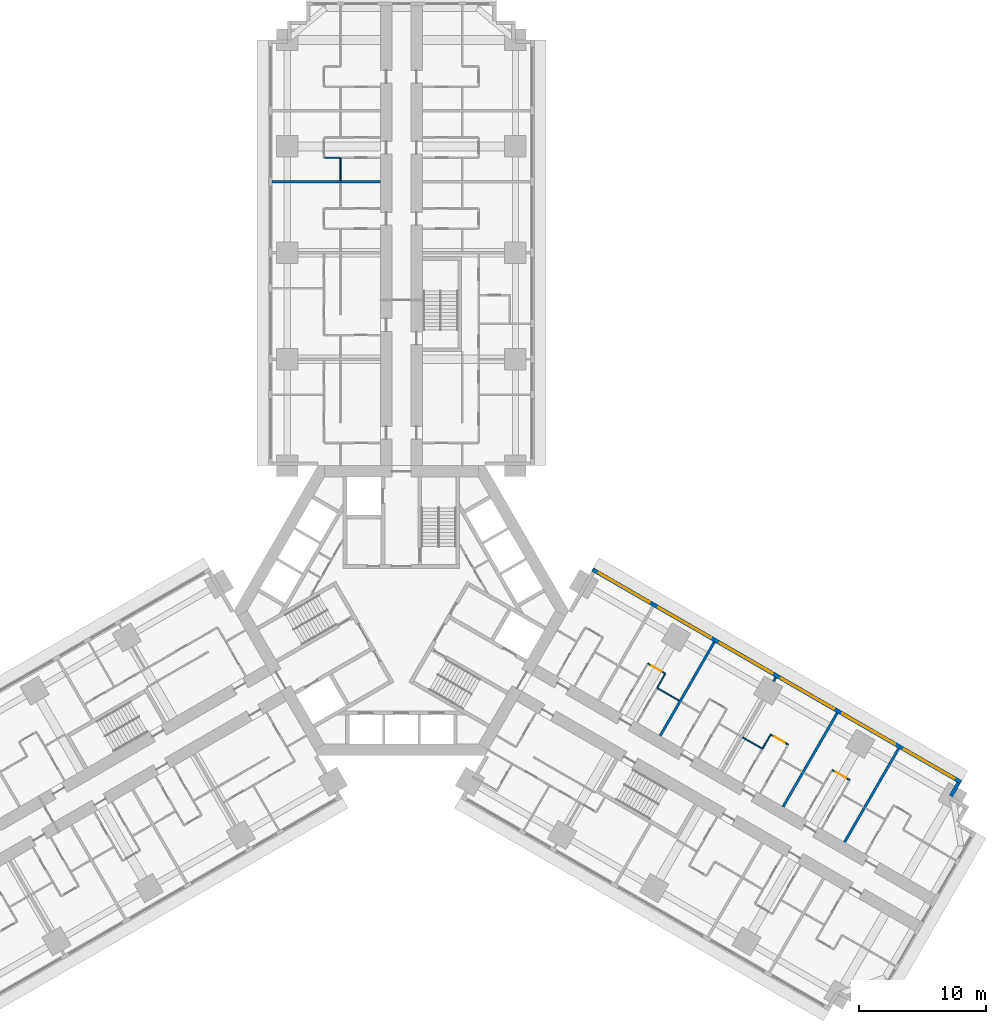
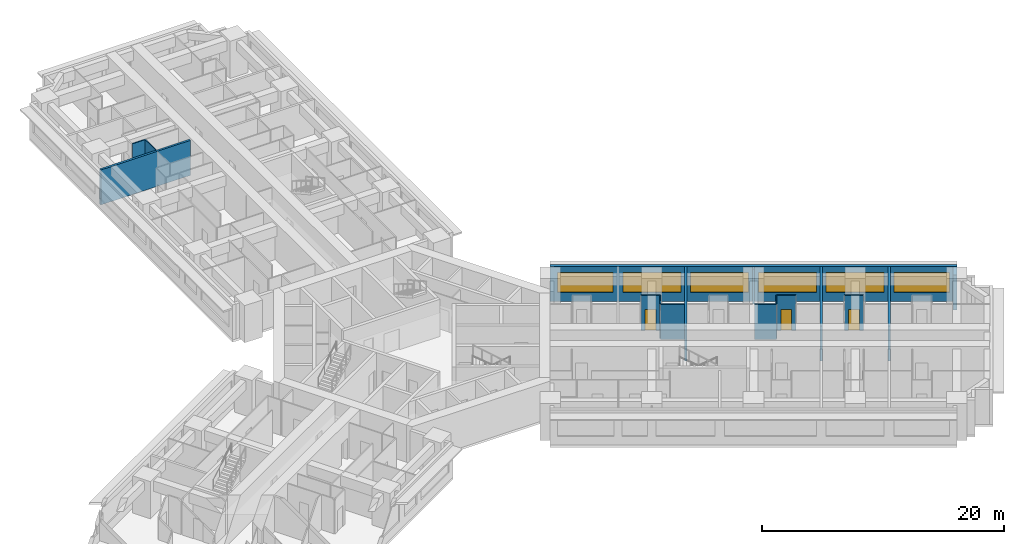
# One storey, part 13 of 16: 16 walls, 6 windows, 3 doors, 9 openings.
"""IFC4 building model written with IfcOpenShell, lengths in metres."""

from ifc_helpers import new_model, si_unit, direction, frame, frame_2d, origin, place, context, subcontext, project, spatial, rectangle, extrude, material, layer, layer_set, type_object, element, fill, save


model = new_model("IFC4")

# Units and contexts
model_context = context("Model", 3, precision=1e-05, world=origin(), true_north=direction((0.0, 1.0)))
body_context = subcontext(model_context, "Body", "Model", "MODEL_VIEW")
ifc_project = project(units=[si_unit("LENGTHUNIT", "METRE"), si_unit("AREAUNIT", "SQUARE_METRE"), si_unit("VOLUMEUNIT", "CUBIC_METRE"), si_unit("PLANEANGLEUNIT", "RADIAN"), si_unit("MASSUNIT", "GRAM", prefix="KILO")], contexts=[model_context])

# Site, building, storey
site_placement = place(None, origin())
site = spatial("IfcSite", under=ifc_project, at=site_placement, CompositionType="ELEMENT")
building_placement = place(site_placement, origin())
building = spatial("IfcBuilding", under=site, at=building_placement, Name="Impinga Residences", CompositionType="ELEMENT")
storey_placement = place(building_placement, frame((0.0, 0.0, 41.0)))
storey = spatial("IfcBuildingStorey", under=building, at=storey_placement, Name="L09", CompositionType="ELEMENT", Elevation=41.0)

# Wall, openings, windows
ifc_material_1 = material(Name="Terracotta rainscreen on blockwork", Category="masonry")
ifc_layer_1 = layer(ifc_material_1, 0.300048828125)
ifc_layer_set_1 = layer_set([ifc_layer_1], Name="EW1 external wall, terracotta rainscreen on blockwork 300")
wall_type_1 = type_object("IfcWallType", Name="EW1 external wall, terracotta rainscreen on blockwork 300", PredefinedType="SOLIDWALL", material=ifc_layer_set_1)
wall_1_placement = place(storey_placement, frame((15.074951171875, 3.24755859375, 0.0), z_axis=(0.0, 0.0, 1.0), x_axis=(0.866024291668, -0.500001926238, 0.0)))
wall_1 = element("IfcWall", 1, at=wall_1_placement, inside=storey, type_object=wall_type_1, Name="External wall EW1 L09", PredefinedType="SOLIDWALL", context=body_context, shape_type="SweptSolid", body=[
    extrude(rectangle(XDim=33.599853515625, YDim=0.300048828125, at=frame_2d((16.7998046875, 0.0))), origin(), (0.0, 0.0, 1.0), 3.530029296875),
])
opening_1_placement = place(wall_1_placement, frame((0.60009765625, 0.0, 0.89990234375)))
opening_1 = element("IfcOpeningElement", 2, at=opening_1_placement, cuts=wall_1, Name="Opening W3", PredefinedType="OPENING", context=body_context, shape_type="SweptSolid", body=[
    extrude(rectangle(XDim=4.60009765625, YDim=2.050048828125, at=frame_2d((2.300048828125, 1.02490234375))), frame((0.0, 0.159912109375, 0.0), z_axis=(0.0, -1.0, 0.0), x_axis=(1.0, 0.0, 0.0)), (0.0, 0.0, 1.0), 0.320068359375),
])
opening_2_placement = place(wall_1_placement, frame((6.0, 0.0, 0.89990234375)))
opening_2 = element("IfcOpeningElement", 3, at=opening_2_placement, cuts=wall_1, Name="Opening W8", PredefinedType="OPENING", context=body_context, shape_type="SweptSolid", body=[
    extrude(rectangle(XDim=4.800048828125, YDim=2.050048828125, at=frame_2d((2.39990234375, 1.02490234375))), frame((0.0, 0.159912109375, 0.0), z_axis=(0.0, -1.0, 0.0), x_axis=(1.0, 0.0, 0.0)), (0.0, 0.0, 1.0), 0.320068359375),
])
opening_3_placement = place(wall_1_placement, frame((11.60009765625, 0.0, 0.89990234375)))
opening_3 = element("IfcOpeningElement", 4, at=opening_3_placement, cuts=wall_1, Name="Opening W8", PredefinedType="OPENING", context=body_context, shape_type="SweptSolid", body=[
    extrude(rectangle(XDim=4.800048828125, YDim=2.050048828125, at=frame_2d((2.39990234375, 1.02490234375))), frame((0.0, 0.159912109375, 0.0), z_axis=(0.0, -1.0, 0.0), x_axis=(1.0, 0.0, 0.0)), (0.0, 0.0, 1.0), 0.320068359375),
])
opening_4_placement = place(wall_1_placement, frame((17.199951171875, 0.0, 0.89990234375)))
opening_4 = element("IfcOpeningElement", 5, at=opening_4_placement, cuts=wall_1, Name="Opening W8", PredefinedType="OPENING", context=body_context, shape_type="SweptSolid", body=[
    extrude(rectangle(XDim=4.800048828125, YDim=2.050048828125, at=frame_2d((2.39990234375, 1.02490234375))), frame((0.0, 0.159912109375, 0.0), z_axis=(0.0, -1.0, 0.0), x_axis=(1.0, 0.0, 0.0)), (0.0, 0.0, 1.0), 0.320068359375),
])
opening_5_placement = place(wall_1_placement, frame((22.800048828125, 0.0, 0.89990234375)))
opening_5 = element("IfcOpeningElement", 6, at=opening_5_placement, cuts=wall_1, Name="Opening W8", PredefinedType="OPENING", context=body_context, shape_type="SweptSolid", body=[
    extrude(rectangle(XDim=4.800048828125, YDim=2.050048828125, at=frame_2d((2.39990234375, 1.02490234375))), frame((0.0, 0.159912109375, 0.0), z_axis=(0.0, -1.0, 0.0), x_axis=(1.0, 0.0, 0.0)), (0.0, 0.0, 1.0), 0.320068359375),
])
opening_6_placement = place(wall_1_placement, frame((28.39990234375, 0.0, 0.89990234375)))
opening_6 = element("IfcOpeningElement", 7, at=opening_6_placement, cuts=wall_1, Name="Opening W3", PredefinedType="OPENING", context=body_context, shape_type="SweptSolid", body=[
    extrude(rectangle(XDim=4.60009765625, YDim=2.050048828125, at=frame_2d((2.300048828125, 1.02490234375))), frame((0.0, 0.159912109375, 0.0), z_axis=(0.0, -1.0, 0.0), x_axis=(1.0, 0.0, 0.0)), (0.0, 0.0, 1.0), 0.320068359375),
])
ifc_material_2 = material(Name="Aluminium window, clear double glazing", Category="aluminium")
window_type_1 = type_object("IfcWindowType", Name="W3 ribbon window 4600x2050", PartitioningType="SINGLE_PANEL", PredefinedType="WINDOW", material=ifc_material_2)
window_1_placement = place(opening_1_placement, origin())
window_1 = element("IfcWindow", 8, at=window_1_placement, inside=storey, type_object=window_type_1, Name="Window L09", OverallHeight=2.050048828125, OverallWidth=4.60009765625, PartitioningType="SINGLE_PANEL", PredefinedType="WINDOW", context=body_context, shape_type="SweptSolid", body=[
    extrude(rectangle(XDim=4.60009765625, YDim=2.050048828125, at=frame_2d((2.300048828125, 1.02490234375))), frame((0.0, 0.030029296875, 0.0), z_axis=(0.0, -1.0, 0.0), x_axis=(1.0, 0.0, 0.0)), (0.0, 0.0, 1.0), 0.06005859375),
])
fill(opening_1, window_1)
window_2_placement = place(opening_6_placement, origin())
window_2 = element("IfcWindow", 9, at=window_2_placement, inside=storey, type_object=window_type_1, Name="Window L09", OverallHeight=2.050048828125, OverallWidth=4.60009765625, PartitioningType="SINGLE_PANEL", PredefinedType="WINDOW", context=body_context, shape_type="SweptSolid", body=[
    extrude(rectangle(XDim=4.60009765625, YDim=2.050048828125, at=frame_2d((2.300048828125, 1.02490234375))), frame((0.0, 0.030029296875, 0.0), z_axis=(0.0, -1.0, 0.0), x_axis=(1.0, 0.0, 0.0)), (0.0, 0.0, 1.0), 0.06005859375),
])
fill(opening_6, window_2)
window_type_2 = type_object("IfcWindowType", Name="W8 ribbon window 4800x2050", PartitioningType="SINGLE_PANEL", PredefinedType="WINDOW", material=ifc_material_2)
window_3_placement = place(opening_2_placement, origin())
window_3 = element("IfcWindow", 10, at=window_3_placement, inside=storey, type_object=window_type_2, Name="Window L09", OverallHeight=2.050048828125, OverallWidth=4.800048828125, PartitioningType="SINGLE_PANEL", PredefinedType="WINDOW", context=body_context, shape_type="SweptSolid", body=[
    extrude(rectangle(XDim=4.800048828125, YDim=2.050048828125, at=frame_2d((2.39990234375, 1.02490234375))), frame((0.0, 0.030029296875, 0.0), z_axis=(0.0, -1.0, 0.0), x_axis=(1.0, 0.0, 0.0)), (0.0, 0.0, 1.0), 0.06005859375),
])
fill(opening_2, window_3)
window_4_placement = place(opening_3_placement, origin())
window_4 = element("IfcWindow", 11, at=window_4_placement, inside=storey, type_object=window_type_2, Name="Window L09", OverallHeight=2.050048828125, OverallWidth=4.800048828125, PartitioningType="SINGLE_PANEL", PredefinedType="WINDOW", context=body_context, shape_type="SweptSolid", body=[
    extrude(rectangle(XDim=4.800048828125, YDim=2.050048828125, at=frame_2d((2.39990234375, 1.02490234375))), frame((0.0, 0.030029296875, 0.0), z_axis=(0.0, -1.0, 0.0), x_axis=(1.0, 0.0, 0.0)), (0.0, 0.0, 1.0), 0.06005859375),
])
fill(opening_3, window_4)
window_5_placement = place(opening_4_placement, origin())
window_5 = element("IfcWindow", 12, at=window_5_placement, inside=storey, type_object=window_type_2, Name="Window L09", OverallHeight=2.050048828125, OverallWidth=4.800048828125, PartitioningType="SINGLE_PANEL", PredefinedType="WINDOW", context=body_context, shape_type="SweptSolid", body=[
    extrude(rectangle(XDim=4.800048828125, YDim=2.050048828125, at=frame_2d((2.39990234375, 1.02490234375))), frame((0.0, 0.030029296875, 0.0), z_axis=(0.0, -1.0, 0.0), x_axis=(1.0, 0.0, 0.0)), (0.0, 0.0, 1.0), 0.06005859375),
])
fill(opening_4, window_5)
window_6_placement = place(opening_5_placement, origin())
window_6 = element("IfcWindow", 13, at=window_6_placement, inside=storey, type_object=window_type_2, Name="Window L09", OverallHeight=2.050048828125, OverallWidth=4.800048828125, PartitioningType="SINGLE_PANEL", PredefinedType="WINDOW", context=body_context, shape_type="SweptSolid", body=[
    extrude(rectangle(XDim=4.800048828125, YDim=2.050048828125, at=frame_2d((2.39990234375, 1.02490234375))), frame((0.0, 0.030029296875, 0.0), z_axis=(0.0, -1.0, 0.0), x_axis=(1.0, 0.0, 0.0)), (0.0, 0.0, 1.0), 0.06005859375),
])
fill(opening_5, window_6)

# Walls
wall_2_placement = place(storey_placement, frame((43.968505859375, -13.607421875, 0.0), z_axis=(0.0, 0.0, 1.0), x_axis=(-0.500029051137, -0.866008630453, 0.0)))
element("IfcWall", 14, at=wall_2_placement, inside=storey, type_object=wall_type_1, Name="External wall EW1 L09", PredefinedType="SOLIDWALL", context=body_context, shape_type="SweptSolid", body=[
    extrude(rectangle(XDim=1.19482421875, YDim=0.300048828125, at=frame_2d((0.597412109375, 0.0))), origin(), (0.0, 0.0, 1.0), 3.530029296875),
])
ifc_material_3 = material(Name="Gypsum board on steel studs", Category="steel")
ifc_layer_2 = layer(ifc_material_3, 0.10009765625)
ifc_layer_set_2 = layer_set([ifc_layer_2], Name="Gypsum board on steel studs")
wall_type_2 = type_object("IfcWallType", Name="IP1 partition 100", PredefinedType="PARTITIONING", material=ifc_layer_set_2)
wall_3_placement = place(storey_placement, frame((-4.800048828125, 33.931640625, 0.0), z_axis=(0.0, 0.0, 1.0), x_axis=(0.0, 1.0, 0.0)))
element("IfcWall", 15, at=wall_3_placement, inside=storey, type_object=wall_type_2, Name="Partition L09-NA4:DIV0", PredefinedType="PARTITIONING", context=body_context, shape_type="SweptSolid", body=[
    extrude(rectangle(XDim=1.7998046875, YDim=0.10009765625, at=frame_2d((0.89990234375, 0.0))), origin(), (0.0, 0.0, 1.0), 3.530029296875),
])
wall_4_placement = place(storey_placement, frame((-4.85009765625, 35.7314453125, 0.0), z_axis=(0.0, 0.0, 1.0), x_axis=(-1.0, 0.0, 0.0)))
element("IfcWall", 16, at=wall_4_placement, inside=storey, type_object=wall_type_2, Name="Partition L09-NA4:SE0", PredefinedType="PARTITIONING", context=body_context, shape_type="SweptSolid", body=[
    extrude(rectangle(XDim=1.199951171875, YDim=0.10009765625, at=frame_2d((0.60009765625, 0.0))), origin(), (0.0, 0.0, 1.0), 3.530029296875),
])
wall_5_placement = place(storey_placement, frame((20.180908203125, -6.10888671875, 0.0), z_axis=(0.0, 0.0, 1.0), x_axis=(0.866010750942, -0.50002537861, 0.0)))
element("IfcWall", 17, at=wall_5_placement, inside=storey, type_object=wall_type_2, Name="Partition L09-EA2:DIV1", PredefinedType="PARTITIONING", context=body_context, shape_type="SweptSolid", body=[
    extrude(rectangle(XDim=2.0, YDim=0.10009765625, at=frame_2d((1.0, 0.0))), origin(), (0.0, 0.0, 1.0), 3.530029296875),
])

# Wall, opening, door
wall_6_placement = place(storey_placement, frame((19.4453125, -4.18310546875, 0.0), z_axis=(0.0, 0.0, 1.0), x_axis=(0.866055983265, -0.499947031044, 0.0)))
wall_6 = element("IfcWall", 18, at=wall_6_placement, inside=storey, type_object=wall_type_2, Name="Partition L09-EA2:STRIP", PredefinedType="PARTITIONING", context=body_context, shape_type="SweptSolid", body=[
    extrude(rectangle(XDim=1.599853515625, YDim=0.10009765625, at=frame_2d((0.7998046875, 0.0))), origin(), (0.0, 0.0, 1.0), 3.530029296875),
])
opening_7_placement = place(wall_6_placement, frame((0.35009765625, 0.0, 0.0)))
opening_7 = element("IfcOpeningElement", 19, at=opening_7_placement, cuts=wall_6, Name="Opening D2", PredefinedType="OPENING", context=body_context, shape_type="SweptSolid", body=[
    extrude(rectangle(XDim=0.89990234375, YDim=2.10009765625, at=frame_2d((0.449951171875, 1.050048828125))), frame((0.0, 0.06005859375, 0.0), z_axis=(0.0, -1.0, 0.0), x_axis=(1.0, 0.0, 0.0)), (0.0, 0.0, 1.0), 0.1201171875),
])
ifc_material_4 = material(Name="Timber door set", Category="wood")
door_type = type_object("IfcDoorType", Name="D2 internal door 900x2100", OperationType="SINGLE_SWING_LEFT", PredefinedType="DOOR", material=ifc_material_4)
door_1_placement = place(opening_7_placement, origin())
door_1 = element("IfcDoor", 20, at=door_1_placement, inside=storey, type_object=door_type, Name="Apartment L09-EA2 room door", OperationType="SINGLE_SWING_LEFT", OverallHeight=2.10009765625, OverallWidth=0.89990234375, PredefinedType="DOOR", context=body_context, shape_type="SweptSolid", body=[
    extrude(rectangle(XDim=0.89990234375, YDim=2.10009765625, at=frame_2d((0.449951171875, 1.050048828125))), frame((0.0, 0.02490234375, 0.0), z_axis=(0.0, -1.0, 0.0), x_axis=(1.0, 0.0, 0.0)), (0.0, 0.0, 1.0), 0.050048828125),
])
fill(opening_7, door_1)

# Walls
wall_7_placement = place(storey_placement, frame((20.205810546875, -6.0654296875, 0.0), z_axis=(0.0, 0.0, 1.0), x_axis=(0.50012165622, 0.865955154139, 0.0)))
element("IfcWall", 21, at=wall_7_placement, inside=storey, type_object=wall_type_2, Name="Partition L09-EA2:SE1", PredefinedType="PARTITIONING", context=body_context, shape_type="SweptSolid", body=[
    extrude(rectangle(XDim=1.199951171875, YDim=0.10009765625, at=frame_2d((0.60009765625, 0.0))), origin(), (0.0, 0.0, 1.0), 3.530029296875),
])
wall_8_placement = place(storey_placement, frame((26.935791015625, -10.0087890625, 0.0), z_axis=(0.0, 0.0, 1.0), x_axis=(0.865989075817, -0.500062916607, 0.0)))
element("IfcWall", 22, at=wall_8_placement, inside=storey, type_object=wall_type_2, Name="Partition L09-EA4:DIV0", PredefinedType="PARTITIONING", context=body_context, shape_type="SweptSolid", body=[
    extrude(rectangle(XDim=1.800048828125, YDim=0.10009765625, at=frame_2d((0.89990234375, 0.0))), origin(), (0.0, 0.0, 1.0), 3.530029296875),
])

# Wall, opening, door
wall_9_placement = place(storey_placement, frame((29.144775390625, -9.782958984375, 0.0), z_axis=(0.0, 0.0, 1.0), x_axis=(0.865989903783, -0.500061482766, 0.0)))
wall_9 = element("IfcWall", 23, at=wall_9_placement, inside=storey, type_object=wall_type_2, Name="Partition L09-EA4:STRIP", PredefinedType="PARTITIONING", context=body_context, shape_type="SweptSolid", body=[
    extrude(rectangle(XDim=1.599853515625, YDim=0.10009765625, at=frame_2d((0.7998046875, 0.0))), origin(), (0.0, 0.0, 1.0), 3.530029296875),
])
opening_8_placement = place(wall_9_placement, frame((0.35009765625, 0.0, 0.0)))
opening_8 = element("IfcOpeningElement", 24, at=opening_8_placement, cuts=wall_9, Name="Opening D2", PredefinedType="OPENING", context=body_context, shape_type="SweptSolid", body=[
    extrude(rectangle(XDim=0.89990234375, YDim=2.10009765625, at=frame_2d((0.449951171875, 1.050048828125))), frame((0.0, 0.06005859375, 0.0), z_axis=(0.0, -1.0, 0.0), x_axis=(1.0, 0.0, 0.0)), (0.0, 0.0, 1.0), 0.1201171875),
])
door_2_placement = place(opening_8_placement, origin())
door_2 = element("IfcDoor", 25, at=door_2_placement, inside=storey, type_object=door_type, Name="Apartment L09-EA4 room door", OperationType="SINGLE_SWING_LEFT", OverallHeight=2.10009765625, OverallWidth=0.89990234375, PredefinedType="DOOR", context=body_context, shape_type="SweptSolid", body=[
    extrude(rectangle(XDim=0.89990234375, YDim=2.10009765625, at=frame_2d((0.449951171875, 1.050048828125))), frame((0.0, 0.02490234375, 0.0), z_axis=(0.0, -1.0, 0.0), x_axis=(1.0, 0.0, 0.0)), (0.0, 0.0, 1.0), 0.050048828125),
])
fill(opening_8, door_2)

# Wall
wall_10_placement = place(storey_placement, frame((28.519775390625, -10.865478515625, 0.0), z_axis=(0.0, 0.0, 1.0), x_axis=(0.499969057507, 0.866043267704, 0.0)))
element("IfcWall", 26, at=wall_10_placement, inside=storey, type_object=wall_type_2, Name="Partition L09-EA4:SE0", PredefinedType="PARTITIONING", context=body_context, shape_type="SweptSolid", body=[
    extrude(rectangle(XDim=1.19970703125, YDim=0.10009765625, at=frame_2d((0.599853515625, 0.0))), origin(), (0.0, 0.0, 1.0), 3.530029296875),
])

# Wall, opening, door
wall_11_placement = place(storey_placement, frame((33.994384765625, -12.5830078125, 0.0), z_axis=(0.0, 0.0, 1.0), x_axis=(0.866028054938, -0.499995408039, 0.0)))
wall_11 = element("IfcWall", 27, at=wall_11_placement, inside=storey, type_object=wall_type_2, Name="Partition L09-EA5:STRIP", PredefinedType="PARTITIONING", context=body_context, shape_type="SweptSolid", body=[
    extrude(rectangle(XDim=1.60009765625, YDim=0.10009765625, at=frame_2d((0.800048828125, 0.0))), origin(), (0.0, 0.0, 1.0), 3.530029296875),
])
opening_9_placement = place(wall_11_placement, frame((0.35009765625, 0.0, 0.0)))
opening_9 = element("IfcOpeningElement", 28, at=opening_9_placement, cuts=wall_11, Name="Opening D2", PredefinedType="OPENING", context=body_context, shape_type="SweptSolid", body=[
    extrude(rectangle(XDim=0.89990234375, YDim=2.10009765625, at=frame_2d((0.449951171875, 1.050048828125))), frame((0.0, 0.06005859375, 0.0), z_axis=(0.0, -1.0, 0.0), x_axis=(1.0, 0.0, 0.0)), (0.0, 0.0, 1.0), 0.1201171875),
])
door_3_placement = place(opening_9_placement, origin())
door_3 = element("IfcDoor", 29, at=door_3_placement, inside=storey, type_object=door_type, Name="Apartment L09-EA5 room door", OperationType="SINGLE_SWING_LEFT", OverallHeight=2.10009765625, OverallWidth=0.89990234375, PredefinedType="DOOR", context=body_context, shape_type="SweptSolid", body=[
    extrude(rectangle(XDim=0.89990234375, YDim=2.10009765625, at=frame_2d((0.449951171875, 1.050048828125))), frame((0.0, 0.02490234375, 0.0), z_axis=(0.0, -1.0, 0.0), x_axis=(1.0, 0.0, 0.0)), (0.0, 0.0, 1.0), 0.050048828125),
])
fill(opening_9, door_3)

# Walls
ifc_material_5 = material(Name="Concrete blockwork", Category="masonry")
ifc_layer_3 = layer(ifc_material_5, 0.199951171875)
ifc_layer_set_3 = layer_set([ifc_layer_3], Name="PW1 party wall between apartments 200")
wall_type_3 = type_object("IfcWallType", Name="PW1 party wall between apartments 200", PredefinedType="SOLIDWALL", material=ifc_layer_set_3)
wall_12_placement = place(storey_placement, frame((-1.64990234375, 33.83154296875, 0.0), z_axis=(0.0, 0.0, 1.0), x_axis=(-1.0, 0.0, 0.0)))
element("IfcWall", 30, at=wall_12_placement, inside=storey, type_object=wall_type_3, Name="Party wall between apartments L09-NA3:PARTY", PredefinedType="SOLIDWALL", context=body_context, shape_type="SweptSolid", body=[
    extrude(rectangle(XDim=8.550048828125, YDim=0.199951171875, at=frame_2d((4.27490234375, 0.0))), origin(), (0.0, 0.0, 1.0), 3.530029296875),
])
wall_13_placement = place(storey_placement, frame((20.424560546875, -9.88671875, 0.0), z_axis=(0.0, 0.0, 1.0), x_axis=(0.500002592159, 0.866023907196, 0.0)))
element("IfcWall", 31, at=wall_13_placement, inside=storey, type_object=wall_type_3, Name="Party wall between apartments L09-EA2:PARTY", PredefinedType="SOLIDWALL", context=body_context, shape_type="SweptSolid", body=[
    extrude(rectangle(XDim=8.5498046875, YDim=0.199951171875, at=frame_2d((4.27490234375, 0.0))), origin(), (0.0, 0.0, 1.0), 3.530029296875),
])
wall_14_placement = place(storey_placement, frame((29.374267578125, -5.58544921875, 0.0), z_axis=(0.0, 0.0, 1.0), x_axis=(0.49996389635, 0.866046247233, 0.0)))
element("IfcWall", 32, at=wall_14_placement, inside=storey, type_object=wall_type_3, Name="Party wall between apartments L09-EA3:PARTYb", PredefinedType="SOLIDWALL", context=body_context, shape_type="SweptSolid", body=[
    extrude(rectangle(XDim=0.35009765625, YDim=0.199951171875, at=frame_2d((0.175048828125, 0.0))), origin(), (0.0, 0.0, 1.0), 3.530029296875),
])
for number, where, z_axis, x_axis, name in (
    (33, (30.1240234375, -15.48681640625, 0.0), (0.0, 0.0, 1.0), (0.499990227581, 0.86603104582, 0.0), "Party wall between apartments L09-EA4:PARTY"),
    (34, (34.9736328125, -18.286865234375, 0.0), (0.0, 0.0, 1.0), (0.500011643316, 0.866018681408, 0.0), "Party wall between apartments L09-EA5:PARTY"),
):
    element("IfcWall", number, at=place(storey_placement, frame(where, z_axis=z_axis, x_axis=x_axis)), inside=storey, type_object=wall_type_3, Name=name, PredefinedType="SOLIDWALL", context=body_context, shape_type="SweptSolid", body=[
        extrude(rectangle(XDim=8.550048828125, YDim=0.199951171875, at=frame_2d((4.27490234375, 0.0))), origin(), (0.0, 0.0, 1.0), 3.530029296875),
    ])

save(model, "model.ifc")
